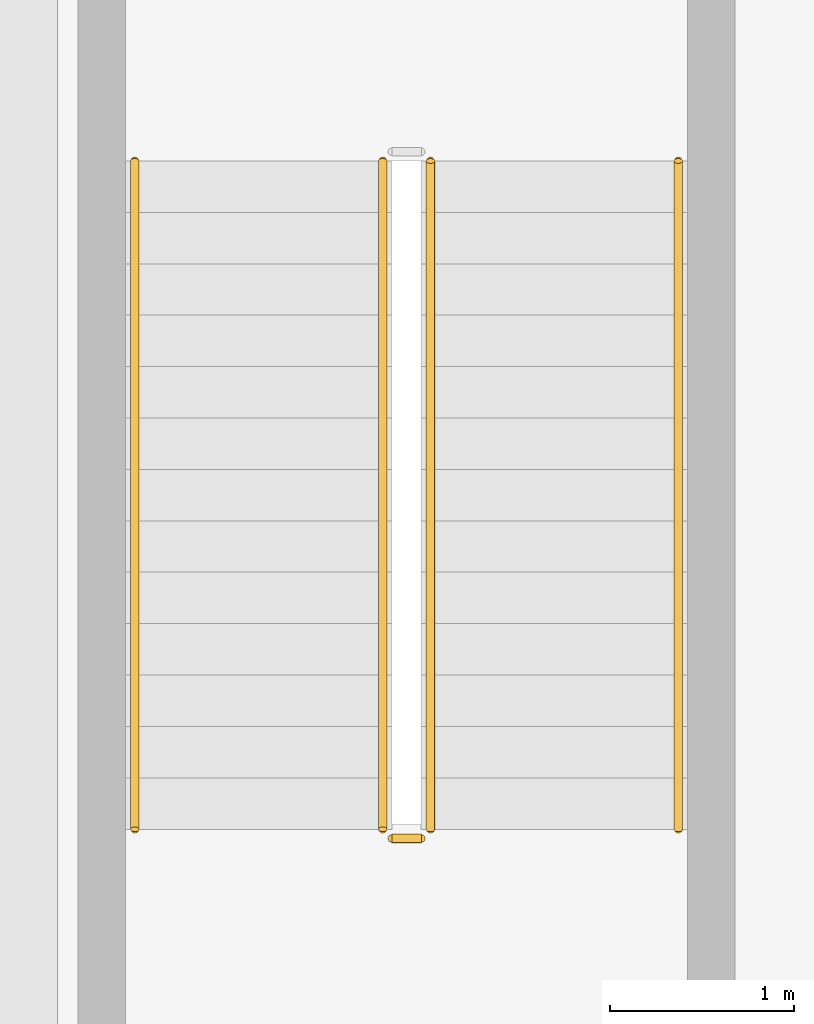
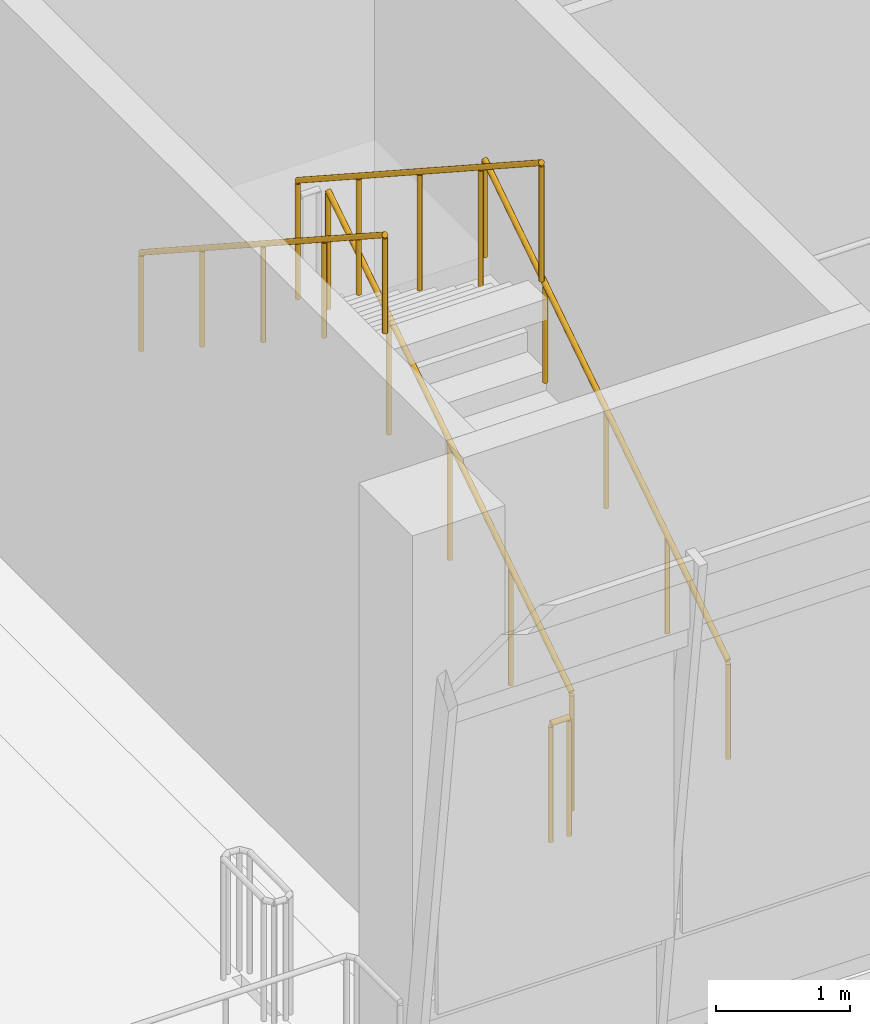
# One storey, part 52 of 61: 5 railings.
"""IFC4 building model written with IfcOpenShell, lengths in metres."""

from ifc_helpers import new_model, si_unit, direction, frame, origin, origin_2d, place, context, subcontext, project, spatial, circle, extrude, material, type_object, element, save


model = new_model("IFC4")

# Units and contexts
model_context = context("Model", 3, precision=1e-05, world=origin(), true_north=direction((0.0, 1.0)))
body_context = subcontext(model_context, "Body", "Model", "MODEL_VIEW")
ifc_project = project(units=[si_unit("LENGTHUNIT", "METRE"), si_unit("AREAUNIT", "SQUARE_METRE"), si_unit("VOLUMEUNIT", "CUBIC_METRE"), si_unit("PLANEANGLEUNIT", "RADIAN"), si_unit("MASSUNIT", "GRAM", prefix="KILO")], contexts=[model_context])

# Site, building, storey
site_placement = place(None, origin())
site = spatial("IfcSite", under=ifc_project, at=site_placement, CompositionType="ELEMENT")
building_placement = place(site_placement, origin())
building = spatial("IfcBuilding", under=site, at=building_placement, Name="Pecanmere Concourse Central Library", CompositionType="ELEMENT")
storey_placement = place(building_placement, frame((0.0, 0.0, 5.39990234375)))
storey = spatial("IfcBuildingStorey", under=building, at=storey_placement, Name="L02", CompositionType="ELEMENT", Elevation=5.39990234375)

# Railings
ifc_material_1 = material(Name="Painted architectural steel ASTM A36", Category="steel")
railing_type_1 = type_object("IfcRailingType", Name="RAIL_STAIR_GUARD", PredefinedType="GUARDRAIL", material=ifc_material_1)
railing_1_placement = place(storey_placement, frame((74.360107421875, 92.0, 0.18212890625)))
element("IfcRailing", 1, at=railing_1_placement, inside=storey, type_object=railing_type_1, Name="L02 ST-01 Guard 1", PredefinedType="GUARDRAIL", context=body_context, shape_type="SweptSolid", body=[
    extrude(circle(Radius=0.02392578125, at=origin_2d()), frame((0.0, 0.0, 1.076171875), z_axis=(0.0, 0.838234174257, 0.545310433706), x_axis=(-1.0, 0.0, 0.0)), (0.0, 0.0, 1.0), 4.34228515625),
    extrude(circle(Radius=0.02099609375, at=origin_2d()), origin(), (0.0, 0.0, 1.0), 1.052001953125),
    extrude(circle(Radius=0.02099609375, at=origin_2d()), frame((0.0, 0.909912109375, 0.592041015625)), (0.0, 0.0, 1.0), 1.052001953125),
    extrude(circle(Radius=0.02099609375, at=origin_2d()), frame((0.0, 1.81982421875, 1.18408203125)), (0.0, 0.0, 1.0), 1.052001953125),
    extrude(circle(Radius=0.02099609375, at=origin_2d()), frame((0.0, 2.72998046875, 1.77587890625)), (0.0, 0.0, 1.0), 1.052001953125),
    extrude(circle(Radius=0.02099609375, at=origin_2d()), frame((0.0, 3.639892578125, 2.367919921875)), (0.0, 0.0, 1.0), 1.052001953125),
])
railing_2_placement = place(storey_placement, frame((74.10009765625, 95.639892578125, 2.732177734375)))
element("IfcRailing", 2, at=railing_2_placement, inside=storey, type_object=railing_type_1, Name="L02 ST-01 Guard 3", PredefinedType="GUARDRAIL", context=body_context, shape_type="SweptSolid", body=[
    extrude(circle(Radius=0.02392578125, at=origin_2d()), frame((0.0, 0.0, 1.076171875), z_axis=(0.0, -0.838234174257, 0.545310433706), x_axis=(1.0, 0.0, 0.0)), (0.0, 0.0, 1.0), 4.34228515625),
    extrude(circle(Radius=0.02099609375, at=origin_2d()), origin(), (0.0, 0.0, 1.0), 1.052001953125),
    extrude(circle(Radius=0.02099609375, at=origin_2d()), frame((0.0, -0.909912109375, 0.592041015625)), (0.0, 0.0, 1.0), 1.052001953125),
    extrude(circle(Radius=0.02099609375, at=origin_2d()), frame((0.0, -1.81982421875, 1.18408203125)), (0.0, 0.0, 1.0), 1.052001953125),
    extrude(circle(Radius=0.02099609375, at=origin_2d()), frame((0.0, -2.72998046875, 1.77587890625)), (0.0, 0.0, 1.0), 1.052001953125),
    extrude(circle(Radius=0.02099609375, at=origin_2d()), frame((0.0, -3.639892578125, 2.367919921875)), (0.0, 0.0, 1.0), 1.052001953125),
])
railing_3_placement = place(storey_placement, frame((74.31005859375, 91.949951171875, 0.0)))
element("IfcRailing", 3, at=railing_3_placement, inside=storey, type_object=railing_type_1, Name="L02 ST-01 Guard 4", PredefinedType="GUARDRAIL", context=body_context, shape_type="SweptSolid", body=[
    extrude(circle(Radius=0.02392578125, at=origin_2d()), frame((0.0, 0.0, 1.076171875), z_axis=(-1.0, 0.0, 0.0), x_axis=(0.0, -1.0, 0.0)), (0.0, 0.0, 1.0), 0.16015625),
    extrude(circle(Radius=0.02099609375, at=origin_2d()), origin(), (0.0, 0.0, 1.0), 1.052001953125),
    extrude(circle(Radius=0.02099609375, at=origin_2d()), frame((-0.16015625, 0.0, 0.0)), (0.0, 0.0, 1.0), 1.052001953125),
])
ifc_material_2 = material(Name="Brushed stainless steel Grade 316", Category="steel")
railing_type_2 = type_object("IfcRailingType", Name="RAIL_STAIR_HR", PredefinedType="HANDRAIL", material=ifc_material_2)
railing_4_placement = place(storey_placement, frame((75.7099609375, 92.0, 0.18212890625)))
element("IfcRailing", 4, at=railing_4_placement, inside=storey, type_object=railing_type_2, Name="L02 ST-01 Handrail 1", PredefinedType="HANDRAIL", context=body_context, shape_type="SweptSolid", body=[
    extrude(circle(Radius=0.02392578125, at=origin_2d()), frame((0.0, 0.0, 0.89111328125), z_axis=(0.0, 0.838234174257, 0.545310433706), x_axis=(-1.0, 0.0, 0.0)), (0.0, 0.0, 1.0), 4.34228515625),
    extrude(circle(Radius=0.02099609375, at=origin_2d()), origin(), (0.0, 0.0, 1.0), 0.866943359375),
    extrude(circle(Radius=0.02099609375, at=origin_2d()), frame((0.0, 0.909912109375, 0.592041015625)), (0.0, 0.0, 1.0), 0.866943359375),
    extrude(circle(Radius=0.02099609375, at=origin_2d()), frame((0.0, 1.81982421875, 1.18408203125)), (0.0, 0.0, 1.0), 0.866943359375),
    extrude(circle(Radius=0.02099609375, at=origin_2d()), frame((0.0, 2.72998046875, 1.77587890625)), (0.0, 0.0, 1.0), 0.866943359375),
    extrude(circle(Radius=0.02099609375, at=origin_2d()), frame((0.0, 3.639892578125, 2.367919921875)), (0.0, 0.0, 1.0), 0.866943359375),
])
railing_5_placement = place(storey_placement, frame((72.75, 95.639892578125, 2.732177734375)))
element("IfcRailing", 5, at=railing_5_placement, inside=storey, type_object=railing_type_2, Name="L02 ST-01 Handrail 2", PredefinedType="HANDRAIL", context=body_context, shape_type="SweptSolid", body=[
    extrude(circle(Radius=0.02392578125, at=origin_2d()), frame((0.0, 0.0, 0.89111328125), z_axis=(0.0, -0.838234174257, 0.545310433706), x_axis=(1.0, 0.0, 0.0)), (0.0, 0.0, 1.0), 4.34228515625),
    extrude(circle(Radius=0.02099609375, at=origin_2d()), origin(), (0.0, 0.0, 1.0), 0.866943359375),
    extrude(circle(Radius=0.02099609375, at=origin_2d()), frame((0.0, -0.909912109375, 0.592041015625)), (0.0, 0.0, 1.0), 0.866943359375),
    extrude(circle(Radius=0.02099609375, at=origin_2d()), frame((0.0, -1.81982421875, 1.18408203125)), (0.0, 0.0, 1.0), 0.866943359375),
    extrude(circle(Radius=0.02099609375, at=origin_2d()), frame((0.0, -2.72998046875, 1.77587890625)), (0.0, 0.0, 1.0), 0.866943359375),
    extrude(circle(Radius=0.02099609375, at=origin_2d()), frame((0.0, -3.639892578125, 2.367919921875)), (0.0, 0.0, 1.0), 0.866943359375),
])

save(model, "model.ifc")
